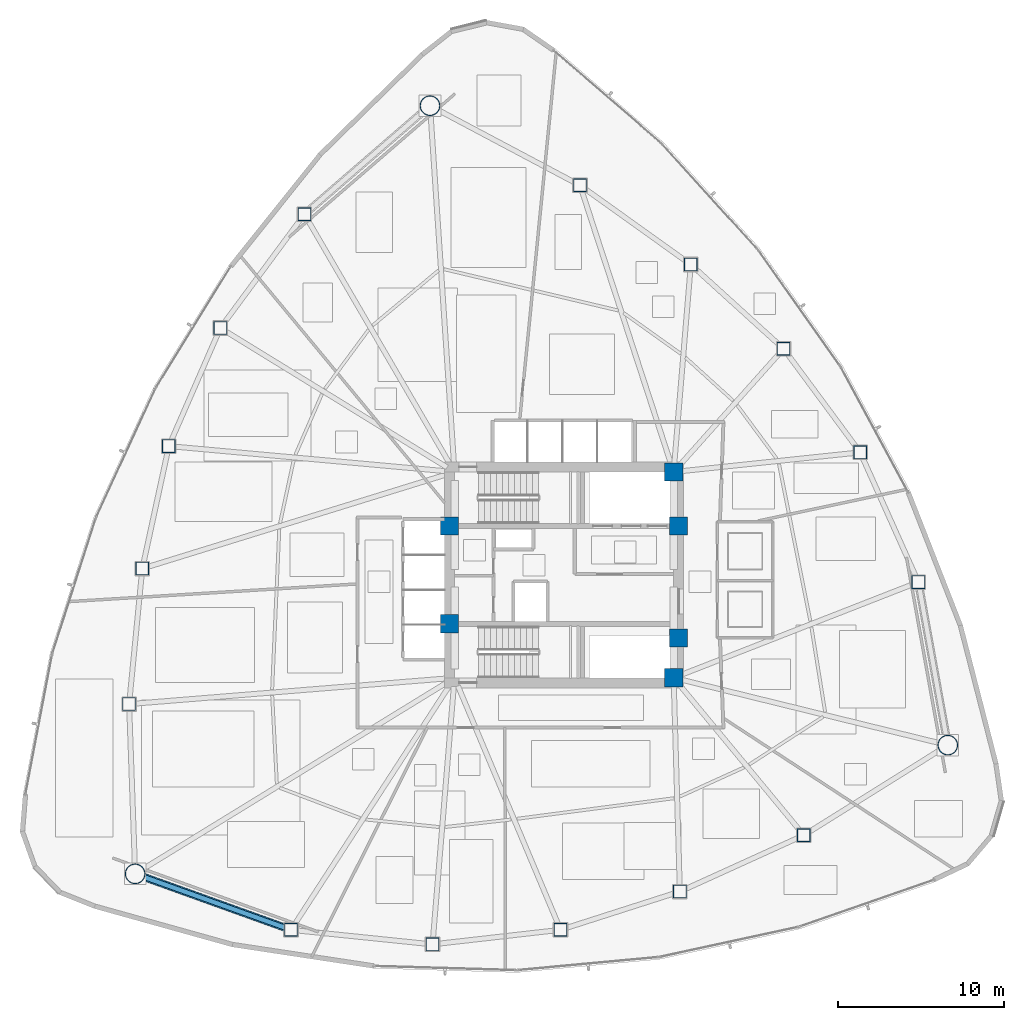
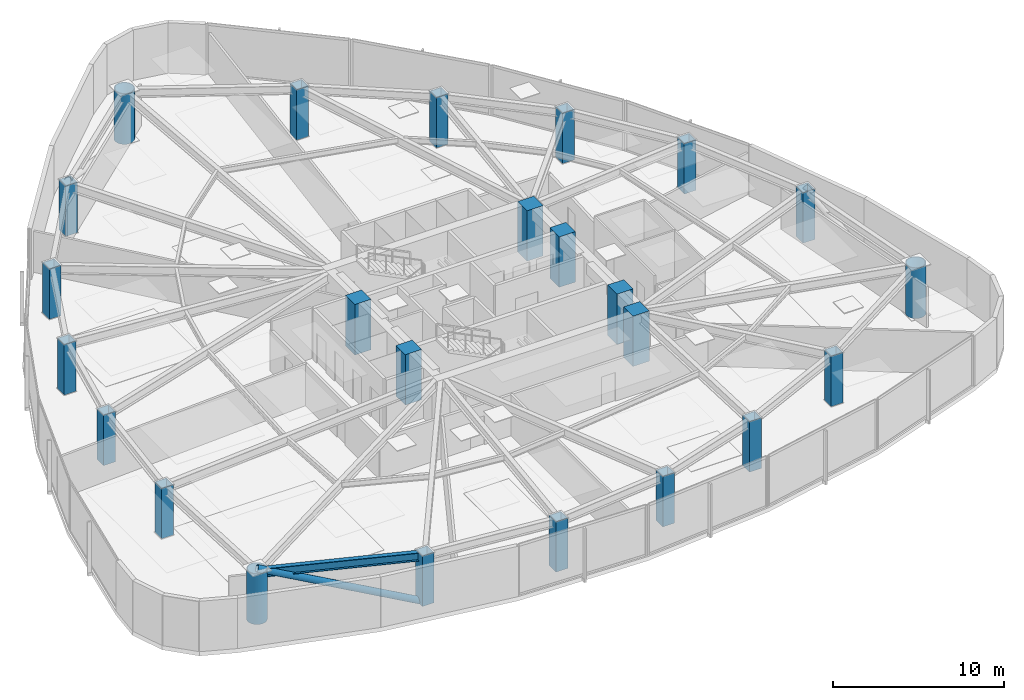
# One storey, part 1 of 16: 24 columns, 1 beam, 1 member.
"""IFC4 building model written with IfcOpenShell, lengths in metres."""

import ifcopenshell
import ifcopenshell.guid

model = None  # the IFC model being written
_history = None  # IfcOwnerHistory: only IFC2X3 demands one
_inside = {}  # id of a spatial element -> (the spatial element, [elements in it])
_under = {}  # id of a project, library or spatial element -> (it, [spatial elements below it])
_declared = {}  # id of a project -> (the project, [libraries it declares])
_typed = {}  # id of a type object -> (the type object, [elements of that type])
_made_of = {}  # id of a material, layer set ... -> (it, [elements and type objects made of it])


def new_model(schema):
    """Start an empty IFC model of exactly this schema.

    Asked for "IFC4X3", IfcOpenShell would pick the latest addendum, in which some entities
    have other attributes; the version numbers below select the first issue.
    IFC2X3 requires an IfcOwnerHistory on every rooted entity: one is made here for all.
    """
    global model, _history
    if schema == "IFC4X3":
        model = ifcopenshell.file(schema_version=(4, 3, 0, 0))
    else:
        model = ifcopenshell.file(schema=schema)
    _inside.clear()
    _under.clear()
    _declared.clear()
    _typed.clear()
    _made_of.clear()
    _history = None
    if model.schema == "IFC2X3":
        org = make("IfcOrganization", Name="unknown")
        user = make(
            "IfcPersonAndOrganization",
            ThePerson=make("IfcPerson", FamilyName="unknown"),
            TheOrganization=org,
        )
        app = make(
            "IfcApplication",
            ApplicationDeveloper=org,
            Version="unknown",
            ApplicationFullName="unknown",
            ApplicationIdentifier="unknown",
        )
        _history = make(
            "IfcOwnerHistory",
            OwningUser=user,
            OwningApplication=app,
            ChangeAction="ADDED",
            CreationDate=0,
        )
    return model


def make(cls, **values):
    """One entity of the class cls with the attributes given. An attribute that is None is left unset."""
    return model.create_entity(
        cls, **{name: value for name, value in values.items() if value is not None}
    )


def rooted(cls, **values):
    """An entity with a GlobalId (a new one), such as an element, a storey or a relation."""
    return make(cls, GlobalId=ifcopenshell.guid.new(), OwnerHistory=_history, **values)


def si_unit(unit_type, name, prefix=None):
    """IfcSIUnit, for example si_unit("LENGTHUNIT", "METRE", prefix="MILLI")."""
    return make("IfcSIUnit", UnitType=unit_type, Prefix=prefix, Name=name)


def assignment(units):
    """IfcUnitAssignment: the units of a project."""
    return None if units is None else make("IfcUnitAssignment", Units=units)


def point(xyz):
    """IfcCartesianPoint."""
    return None if xyz is None else make("IfcCartesianPoint", Coordinates=xyz)


def direction(xyz):
    """IfcDirection."""
    return None if xyz is None else make("IfcDirection", DirectionRatios=xyz)


def frame(location, z_axis=None, x_axis=None):
    """IfcAxis2Placement3D, a coordinate frame: its origin and axes. An axis left out is left unset."""
    return make(
        "IfcAxis2Placement3D",
        Location=point(location),
        Axis=direction(z_axis),
        RefDirection=direction(x_axis),
    )


def frame_2d(location, x_axis=None):
    """IfcAxis2Placement2D, a coordinate frame in the plane: its origin and x axis."""
    return make(
        "IfcAxis2Placement2D", Location=point(location), RefDirection=direction(x_axis)
    )


def origin():
    """The frame at (0, 0, 0) with its axes left unset."""
    return frame((0.0, 0.0, 0.0))


def origin_2d():
    """The frame at (0, 0) in the plane with its x axis left unset."""
    return frame_2d((0.0, 0.0))


def place(relative_to, where):
    """IfcLocalPlacement: puts the frame where relative to a parent placement (None: the world)."""
    return make(
        "IfcLocalPlacement", PlacementRelTo=relative_to, RelativePlacement=where
    )


def context(
    kind, dimensions, precision=None, world=None, true_north=None, identifier=None
):
    """IfcGeometricRepresentationContext, for example the 3D "Model" context."""
    return make(
        "IfcGeometricRepresentationContext",
        ContextIdentifier=identifier,
        ContextType=kind,
        CoordinateSpaceDimension=dimensions,
        Precision=precision,
        WorldCoordinateSystem=world,
        TrueNorth=true_north,
    )


def subcontext(parent, identifier, kind, view, scale=None):
    """IfcGeometricRepresentationSubContext, for example "Body" below "Model"."""
    return make(
        "IfcGeometricRepresentationSubContext",
        ContextIdentifier=identifier,
        ContextType=kind,
        ParentContext=parent,
        TargetScale=scale,
        TargetView=view,
    )


def project(units=None, contexts=None):
    """IfcProject with its units and contexts."""
    return rooted(
        "IfcProject",
        Name="project",
        RepresentationContexts=contexts,
        UnitsInContext=assignment(units),
    )


def spatial(cls, under=None, at=None, **own):
    """A site, building, storey or space (cls), placed at a placement, below another one or the project."""
    s = rooted(cls, ObjectPlacement=at, **own)
    if under is not None:
        _under.setdefault(under.id(), (under, []))[1].append(s)
    return s


def profile(cls, at=None, kind="AREA", **sizes):
    """A parametric profile (cls). Its sizes go by their IFC names, for example OverallWidth=200.0."""
    return make(cls, ProfileType=kind, Position=at, **sizes)


def rectangle(**sizes):
    """IfcRectangleProfileDef."""
    return profile("IfcRectangleProfileDef", **sizes)


def hollow_rectangle(**sizes):
    """IfcRectangleHollowProfileDef."""
    return profile("IfcRectangleHollowProfileDef", **sizes)


def hollow_circle(**sizes):
    """IfcCircleHollowProfileDef."""
    return profile("IfcCircleHollowProfileDef", **sizes)


def i_section(**sizes):
    """IfcIShapeProfileDef."""
    return profile("IfcIShapeProfileDef", **sizes)


def extrude(swept, where, along, depth):
    """IfcExtrudedAreaSolid: the profile swept, set in the frame where, extruded along a direction by depth."""
    return make(
        "IfcExtrudedAreaSolid",
        SweptArea=swept,
        Position=where,
        ExtrudedDirection=direction(along),
        Depth=depth,
    )


def shape(context_of_items, identifier, shape_type, items):
    """IfcShapeRepresentation: the items that make up one representation, for example the "Body"."""
    return make(
        "IfcShapeRepresentation",
        ContextOfItems=context_of_items,
        RepresentationIdentifier=identifier,
        RepresentationType=shape_type,
        Items=items,
    )


def material(Name=None, Category=None):
    """IfcMaterial."""
    return make("IfcMaterial", Name=Name, Category=Category)


def material_profile(
    of_material, cross_section, Name=None, Category=None, Priority=None
):
    """IfcMaterialProfile: a cross section and its material."""
    return make(
        "IfcMaterialProfile",
        Name=Name,
        Material=of_material,
        Profile=cross_section,
        Priority=Priority,
        Category=Category,
    )


def profile_set(profiles, Name=None, composite=None):
    """IfcMaterialProfileSet."""
    return make(
        "IfcMaterialProfileSet",
        Name=Name,
        MaterialProfiles=profiles,
        CompositeProfile=composite,
    )


def made_of(thing, what):
    """Note that an element or type object is made of a material, layer set ...; save() writes the relation."""
    if what is not None:
        _made_of.setdefault(what.id(), (what, []))[1].append(thing)
    return thing


def type_object(cls, material=None, **own):
    """A type object (cls), such as IfcWallType, which elements share."""
    return made_of(rooted(cls, **own), material)


def element(
    cls,
    number,
    at=None,
    inside=None,
    cuts=None,
    type_object=None,
    material=None,
    context=None,
    identifier="Body",
    shape_type=None,
    held_by="IfcProductDefinitionShape",
    body=None,
    shapes=None,
    **own,
):
    """One element of the class cls, such as IfcWall. Its Tag is "e" and its number.

    at: its placement. inside: the storey or other place that contains it. cuts: it is an
    opening in that element (IfcRelVoidsElement). A single representation is given by context,
    identifier, shape_type and body (its items); several are given by shapes. held_by: the class
    of the entity that holds the representations. save() writes the other relations.
    """
    e = rooted(cls, Tag="e%d" % number, ObjectPlacement=at, **own)
    if body is not None:
        shapes = [shape(context, identifier, shape_type, body)]
    if shapes is not None:
        e.Representation = make(held_by, Representations=shapes)
    if inside is not None:
        _inside.setdefault(inside.id(), (inside, []))[1].append(e)
    if cuts is not None:
        rooted(
            "IfcRelVoidsElement", RelatingBuildingElement=cuts, RelatedOpeningElement=e
        )
    if type_object is not None:
        _typed.setdefault(type_object.id(), (type_object, []))[1].append(e)
    return made_of(e, material)


def aggregate(whole, parts):
    """IfcRelAggregates: a whole, such as a stair, and the parts it consists of."""
    return rooted("IfcRelAggregates", RelatingObject=whole, RelatedObjects=parts)


def save(model, path):
    """Write the relations noted so far, then the file.

    IfcRelAggregates (storeys below a building ...), IfcRelContainedInSpatialStructure (elements
    in a storey), IfcRelDefinesByType, IfcRelAssociatesMaterial and IfcRelDeclares: one each for
    every whole, place, type object, material and project.
    """
    for whole, parts in _under.values():
        aggregate(whole, parts)
    for where, things in _inside.values():
        rooted(
            "IfcRelContainedInSpatialStructure",
            RelatedElements=things,
            RelatingStructure=where,
        )
    for kind, things in _typed.values():
        rooted("IfcRelDefinesByType", RelatedObjects=things, RelatingType=kind)
    for what, things in _made_of.values():
        rooted("IfcRelAssociatesMaterial", RelatedObjects=things, RelatingMaterial=what)
    for by, libraries in _declared.values():
        rooted("IfcRelDeclares", RelatingContext=by, RelatedDefinitions=libraries)
    model.write(path)


model = new_model("IFC4")

# Units and contexts
model_context = context("Model", 3, precision=1e-05, world=origin(), true_north=direction((0.0, 1.0)))
body_context = subcontext(model_context, "Body", "Model", "MODEL_VIEW")
ifc_project = project(units=[si_unit("LENGTHUNIT", "METRE"), si_unit("AREAUNIT", "SQUARE_METRE"), si_unit("VOLUMEUNIT", "CUBIC_METRE"), si_unit("PLANEANGLEUNIT", "RADIAN"), si_unit("MASSUNIT", "GRAM", prefix="KILO")], contexts=[model_context])

# Site, building, storey
site_placement = place(None, origin())
site = spatial("IfcSite", under=ifc_project, at=site_placement, CompositionType="ELEMENT")
building_placement = place(site_placement, origin())
building = spatial("IfcBuilding", under=site, at=building_placement, Name="Tavelor Broadcast Tower", CompositionType="ELEMENT")
storey_placement = place(building_placement, frame((0.0, 0.0, 31.5)))
storey = spatial("IfcBuildingStorey", under=building, at=storey_placement, Name="L06", CompositionType="ELEMENT", Elevation=31.5)

# Columns
ifc_material_1 = material(Name="Concrete C60/75", Category="concrete")
ifc_material_profile_1 = material_profile(ifc_material_1, rectangle(XDim=1.10009765625, YDim=1.10009765625, at=origin_2d()), Name="RC 1100x1100")
ifc_profile_set_1 = profile_set([ifc_material_profile_1], Name="Concrete C60/75")
column_type_1 = type_object("IfcColumnType", Name="Core Embedded Composite Column RC1100", PredefinedType="COLUMN", material=ifc_profile_set_1)
for number, where, z_axis, x_axis, name in (
    (1, (43.10009765625, 47.949951171875, 0.0), (0.0, 0.0, 1.0), (1.0, 0.0, 0.0), "L06 Core Embedded Column 1"),
    (2, (56.89990234375, 47.949951171875, 0.0), (0.0, 0.0, 1.0), (1.0, 0.0, 0.0), "L06 Core Embedded Column 2"),
    (3, (56.60009765625, 51.199951171875, 0.0), (0.0, 0.0, 1.0), (1.0, 0.0, 0.0), "L06 Core Embedded Column 3"),
    (4, (43.10009765625, 42.050048828125, 0.0), (0.0, 0.0, 1.0), (1.0, 0.0, 0.0), "L06 Core Embedded Column 4"),
    (5, (56.89990234375, 41.199951171875, 0.0), (0.0, 0.0, 1.0), (1.0, 0.0, 0.0), "L06 Core Embedded Column 5"),
    (6, (56.60009765625, 38.800048828125, 0.0), (0.0, 0.0, 1.0), (1.0, 0.0, 0.0), "L06 Core Embedded Column 6"),
):
    element("IfcColumn", number, at=place(storey_placement, frame(where, z_axis=z_axis, x_axis=x_axis)), inside=storey, type_object=column_type_1, Name=name, PredefinedType="COLUMN", context=body_context, shape_type="SweptSolid", body=[
        extrude(rectangle(XDim=1.10009765625, YDim=1.10009765625, at=origin_2d()), origin(), (0.0, 0.0, 1.0), 3.60009765625),
    ])
ifc_material_2 = material(Name="Steel S460", Category="steel")
ifc_material_profile_2 = material_profile(ifc_material_2, hollow_rectangle(XDim=0.800048828125, YDim=0.800048828125, WallThickness=0.044921875, at=origin_2d()), Name="SHS 800x800x45")
ifc_profile_set_2 = profile_set([ifc_material_profile_2], Name="Steel S460")
column_type_2 = type_object("IfcColumnType", Name="Perimeter Tube Column T1 SHS 800x800x45", PredefinedType="COLUMN", material=ifc_profile_set_2)
for number, where, z_axis, x_axis, name in (
    (7, (34.356201171875, 66.727783203125, 0.0), (0.0, 0.0, 1.0), (1.0, 0.0, 0.0), "L06 Perimeter Framed-Tube Column 02"),
    (8, (29.292236328125, 59.87158203125, 0.0), (0.0, 0.0, 1.0), (1.0, 0.0, 0.0), "L06 Perimeter Framed-Tube Column 03"),
    (9, (26.189208984375, 52.75830078125, 0.0), (0.0, 0.0, 1.0), (1.0, 0.0, 0.0), "L06 Perimeter Framed-Tube Column 04"),
    (10, (24.58984375, 45.380615234375, 0.0), (0.0, 0.0, 1.0), (1.0, 0.0, 0.0), "L06 Perimeter Framed-Tube Column 05"),
    (11, (23.794677734375, 37.21630859375, 0.0), (0.0, 0.0, 1.0), (1.0, 0.0, 0.0), "L06 Perimeter Framed-Tube Column 06"),
    (12, (33.55078125, 23.615478515625, 0.0), (0.0, 0.0, 1.0), (1.0, 0.0, 0.0), "L06 Perimeter Framed-Tube Column 08"),
    (13, (42.0732421875, 22.740478515625, 0.0), (0.0, 0.0, 1.0), (1.0, 0.0, 0.0), "L06 Perimeter Framed-Tube Column 09"),
    (14, (49.78662109375, 23.617919921875, 0.0), (0.0, 0.0, 1.0), (1.0, 0.0, 0.0), "L06 Perimeter Framed-Tube Column 10"),
    (15, (56.975341796875, 25.92138671875, 0.0), (0.0, 0.0, 1.0), (1.0, 0.0, 0.0), "L06 Perimeter Framed-Tube Column 11"),
    (16, (64.443603515625, 29.31494140625, 0.0), (0.0, 0.0, 1.0), (1.0, 0.0, 0.0), "L06 Perimeter Framed-Tube Column 12"),
    (17, (71.343994140625, 44.564697265625, 0.0), (0.0, 0.0, 1.0), (1.0, 0.0, 0.0), "L06 Perimeter Framed-Tube Column 14"),
    (18, (67.8408203125, 52.382568359375, 0.0), (0.0, 0.0, 1.0), (1.0, 0.0, 0.0), "L06 Perimeter Framed-Tube Column 15"),
    (19, (63.22412109375, 58.623779296875, 0.0), (0.0, 0.0, 1.0), (1.0, 0.0, 0.0), "L06 Perimeter Framed-Tube Column 16"),
    (20, (57.634765625, 63.69775390625, 0.0), (0.0, 0.0, 1.0), (1.0, 0.0, 0.0), "L06 Perimeter Framed-Tube Column 17"),
    (21, (50.9619140625, 68.468505859375, 0.0), (0.0, 0.0, 1.0), (1.0, 0.0, 0.0), "L06 Perimeter Framed-Tube Column 18"),
):
    element("IfcColumn", number, at=place(storey_placement, frame(where, z_axis=z_axis, x_axis=x_axis)), inside=storey, type_object=column_type_2, Name=name, PredefinedType="COLUMN", context=body_context, shape_type="SweptSolid", body=[
        extrude(hollow_rectangle(XDim=0.800048828125, YDim=0.800048828125, WallThickness=0.044921875, at=origin_2d()), origin(), (0.0, 0.0, 1.0), 3.60009765625),
    ])
ifc_material_profile_3 = material_profile(ifc_material_2, hollow_circle(Radius=0.609619140625, WallThickness=0.050048828125, at=origin_2d()), Name="CHS 1219x50")
ifc_profile_set_3 = profile_set([ifc_material_profile_3], Name="Steel S460")
column_type_3 = type_object("IfcColumnType", Name="Tower Mega Column T1 CHS 1219x50", PredefinedType="COLUMN", material=ifc_profile_set_3)
for number, where, z_axis, x_axis, name in (
    (22, (41.923095703125, 73.266357421875, 0.0), (0.0, 0.0, 1.0), (1.0, 0.0, 0.0), "L06 Tower Corner Mega Column 01"),
    (23, (24.1591796875, 26.98974609375, 0.0), (0.0, 0.0, 1.0), (1.0, 0.0, 0.0), "L06 Tower Corner Mega Column 07"),
    (24, (73.117919921875, 34.743896484375, 0.0), (0.0, 0.0, 1.0), (1.0, 0.0, 0.0), "L06 Tower Corner Mega Column 13"),
):
    element("IfcColumn", number, at=place(storey_placement, frame(where, z_axis=z_axis, x_axis=x_axis)), inside=storey, type_object=column_type_3, Name=name, PredefinedType="COLUMN", context=body_context, shape_type="SweptSolid", body=[
        extrude(hollow_circle(Radius=0.609619140625, WallThickness=0.050048828125, at=origin_2d()), origin(), (0.0, 0.0, 1.0), 3.60009765625),
    ])

# Beam
ifc_material_3 = material(Name="Steel S355", Category="steel")
ifc_material_profile_4 = material_profile(ifc_material_3, i_section(OverallWidth=0.300048828125, OverallDepth=0.60009765625, WebThickness=0.015380859375, FlangeThickness=0.030029296875, at=origin_2d()), Name="HEB 600")
ifc_profile_set_4 = profile_set([ifc_material_profile_4], Name="Steel S355")
beam_type = type_object("IfcBeamType", Name="Perimeter Spandrel Beam T1 HEB 600", PredefinedType="SPANDREL", material=ifc_profile_set_4)
beam_placement = place(storey_placement, frame((24.709716796875, 26.7919921875, 3.300048828125), z_axis=(0.941102066303, -0.338122612081, 0.0), x_axis=(0.338122612081, 0.941102066303, 0.0)))
element("IfcBeam", 25, at=beam_placement, inside=storey, type_object=beam_type, Name="L06 Framed-Tube Ring Spandrel 07", PredefinedType="SPANDREL", context=body_context, shape_type="SweptSolid", body=[
    extrude(i_section(OverallWidth=0.300048828125, OverallDepth=0.60009765625, WebThickness=0.015380859375, FlangeThickness=0.030029296875, at=origin_2d()), origin(), (0.0, 0.0, 1.0), 9.010498046875),
])

# Member
ifc_material_profile_5 = material_profile(ifc_material_3, hollow_circle(Radius=0.228515625, WallThickness=0.02001953125, at=origin_2d()), Name="CHS 457x20")
ifc_profile_set_5 = profile_set([ifc_material_profile_5], Name="Steel S355")
member_type = type_object("IfcMemberType", Name="Perimeter Tube Brace T1 CHS 457x20", PredefinedType="BRACE", material=ifc_profile_set_5)
member_placement = place(storey_placement, frame((33.55078125, 23.615478515625, 0.0), z_axis=(-0.885257630536, 0.318060354363, 0.339347224183), x_axis=(-0.338124247145, -0.941101478849, 0.0)))
element("IfcMember", 26, at=member_placement, inside=storey, type_object=member_type, Name="L06 Corner Tube Diagonal Brace 2", PredefinedType="BRACE", context=body_context, shape_type="SweptSolid", body=[
    extrude(hollow_circle(Radius=0.228515625, WallThickness=0.02001953125, at=origin_2d()), origin(), (0.0, 0.0, 1.0), 10.60888671875),
])

save(model, "model.ifc")
